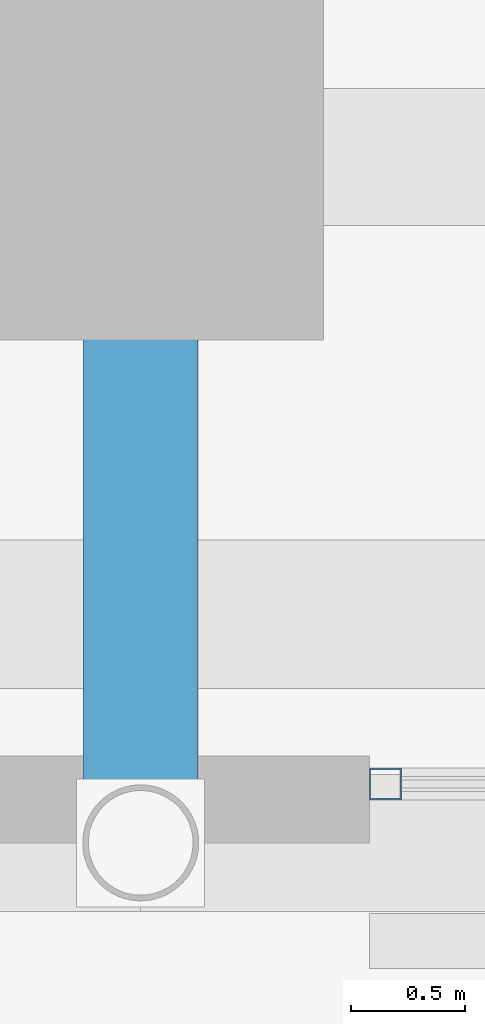
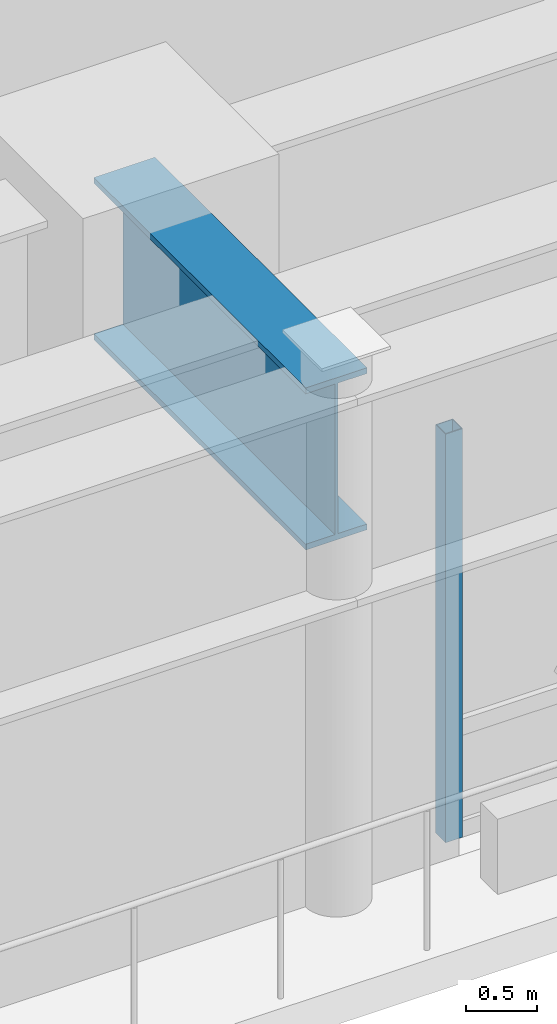
# One storey, part 8 of 38: 1 beam, 1 member, 1 element without a shape of its own.
"""IFC4 building model written with IfcOpenShell, lengths in metres."""

from ifc_helpers import new_model, si_unit, direction, frame, origin, origin_2d, place, context, subcontext, project, spatial, hollow_rectangle, i_section, extrude, source, transform, mapped, material, material_profile, profile_set, type_object, element, aggregate, save


model = new_model("IFC4")

# Units and contexts
model_context = context("Model", 3, precision=1e-05, world=origin(), true_north=direction((0.0, 1.0)))
body_context = subcontext(model_context, "Body", "Model", "MODEL_VIEW")
ifc_project = project(units=[si_unit("LENGTHUNIT", "METRE"), si_unit("AREAUNIT", "SQUARE_METRE"), si_unit("VOLUMEUNIT", "CUBIC_METRE"), si_unit("PLANEANGLEUNIT", "RADIAN"), si_unit("MASSUNIT", "GRAM", prefix="KILO")], contexts=[model_context])

# Site, building, storey
site_placement = place(None, origin())
site = spatial("IfcSite", under=ifc_project, at=site_placement, CompositionType="ELEMENT")
building_placement = place(site_placement, origin())
building = spatial("IfcBuilding", under=site, at=building_placement, Name="Khorayat Bourse Tower", CompositionType="ELEMENT")
storey_placement = place(building_placement, frame((0.0, 0.0, 17.39990234375)))
storey = spatial("IfcBuildingStorey", under=building, at=storey_placement, Name="L03", CompositionType="ELEMENT", Elevation=17.39990234375)

# Beam
ifc_material_1 = material(Name="Steel EN 10025-4 S460M", Category="steel")
ifc_material_profile_1 = material_profile(ifc_material_1, i_section(OverallWidth=0.5, OverallDepth=1.39990234375, WebThickness=0.02490234375, FlangeThickness=0.050048828125, at=origin_2d()), Name="PG 1400x500x25x50")
ifc_profile_set_1 = profile_set([ifc_material_profile_1], Name="Steel EN 10025-4 S460M")
beam_type = type_object("IfcBeamType", Name="BM-TR-1400", PredefinedType="BEAM", material=ifc_profile_set_1)
shared_shape_1 = source(origin(), body_context, "Body", "SweptSolid", [
    extrude(i_section(OverallWidth=0.5, OverallDepth=1.39990234375, WebThickness=0.02490234375, FlangeThickness=0.050048828125, at=origin_2d()), origin(), (0.0, 0.0, 1.0), 3.0),
])
beam_placement = place(storey_placement, frame((-11.0, -35.0, 3.780029296875), z_axis=(0.0, 1.0, 0.0), x_axis=(-1.0, 0.0, 0.0)))
element("IfcBeam", 1, at=beam_placement, inside=storey, type_object=beam_type, Name="L03 BM-TR-1400 BM-L03-PGY-128", PredefinedType="BEAM", context=body_context, shape_type="MappedRepresentation", body=[
    mapped(shared_shape_1, transform((0.0, 0.0, 0.0), scale=1.0)),
])

# Curtain wall, member
ifc_material_2 = material(Name="Aluminium EN AW-6063 T6", Category="aluminium")
curtain_wall_type = type_object("IfcCurtainWallType", Name="CW-SYS-01", PredefinedType="NOTDEFINED", material=ifc_material_2)
curtain_wall_placement = place(storey_placement, origin())
curtain_wall = element("IfcCurtainWall", 2, at=curtain_wall_placement, inside=storey, type_object=curtain_wall_type, Name="L03 Curtain Wall CW-L03-SW", PredefinedType="NOTDEFINED")
ifc_material_profile_2 = material_profile(ifc_material_2, hollow_rectangle(XDim=0.139892578125, YDim=0.139892578125, WallThickness=0.006103515625, at=origin_2d()), Name="ALU 140x140x6")
ifc_profile_set_2 = profile_set([ifc_material_profile_2], Name="Aluminium EN AW-6063 T6")
member_type = type_object("IfcMemberType", Name="CWM-VERT-140", PredefinedType="MULLION", material=ifc_profile_set_2)
shared_shape_2 = source(origin(), body_context, "Body", "SweptSolid", [
    extrude(hollow_rectangle(XDim=0.139892578125, YDim=0.139892578125, WallThickness=0.006103515625, at=origin_2d()), origin(), (0.0, 0.0, 1.0), 3.530029296875),
])
member_placement = place(storey_placement, frame((-9.929931640625, -34.742919921875, 0.0), z_axis=(0.0, 0.0, 1.0), x_axis=(0.0, 1.0, 0.0)))
member = element("IfcMember", 3, at=member_placement, type_object=member_type, Name="CW-L03-SW Vertical Mullion 1", PredefinedType="MULLION", context=body_context, shape_type="MappedRepresentation", body=[
    mapped(shared_shape_2, transform((0.0, 0.0, 0.0), scale=1.0)),
])
aggregate(curtain_wall, [member])

save(model, "model.ifc")
